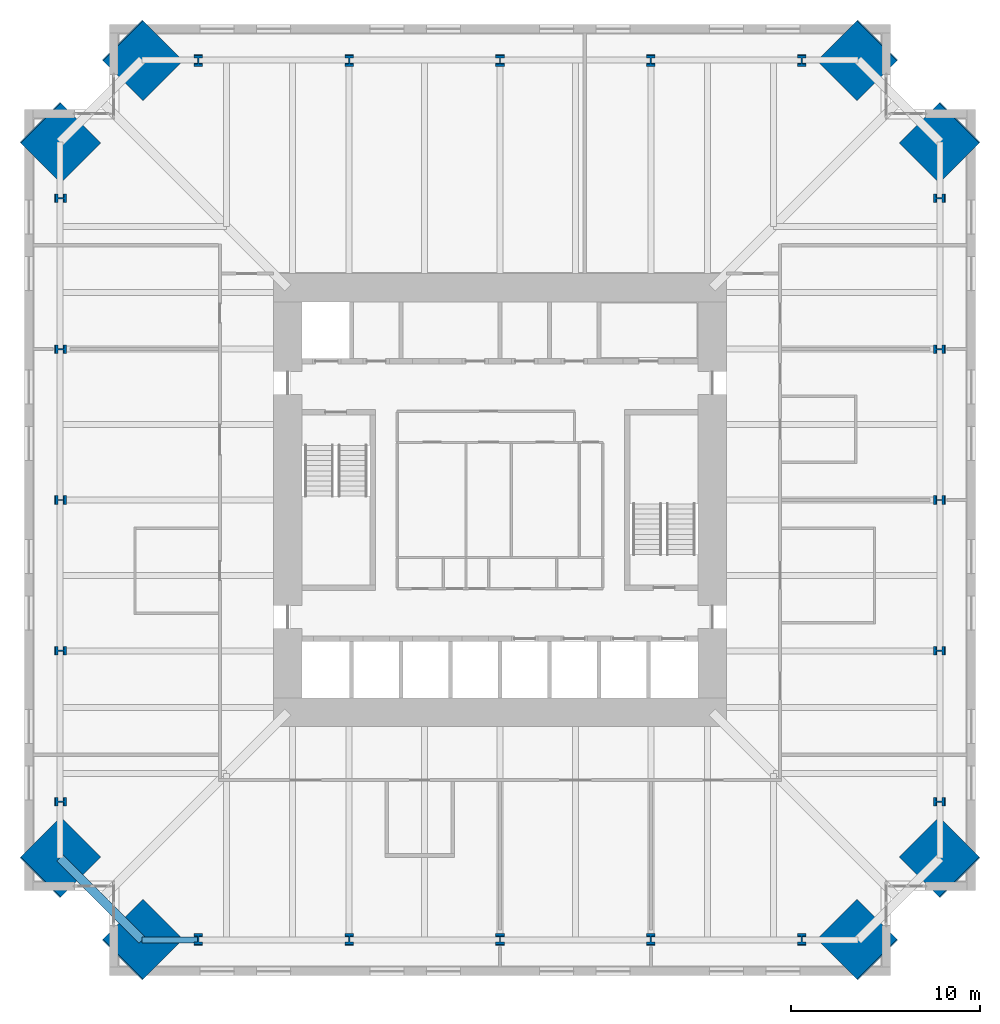
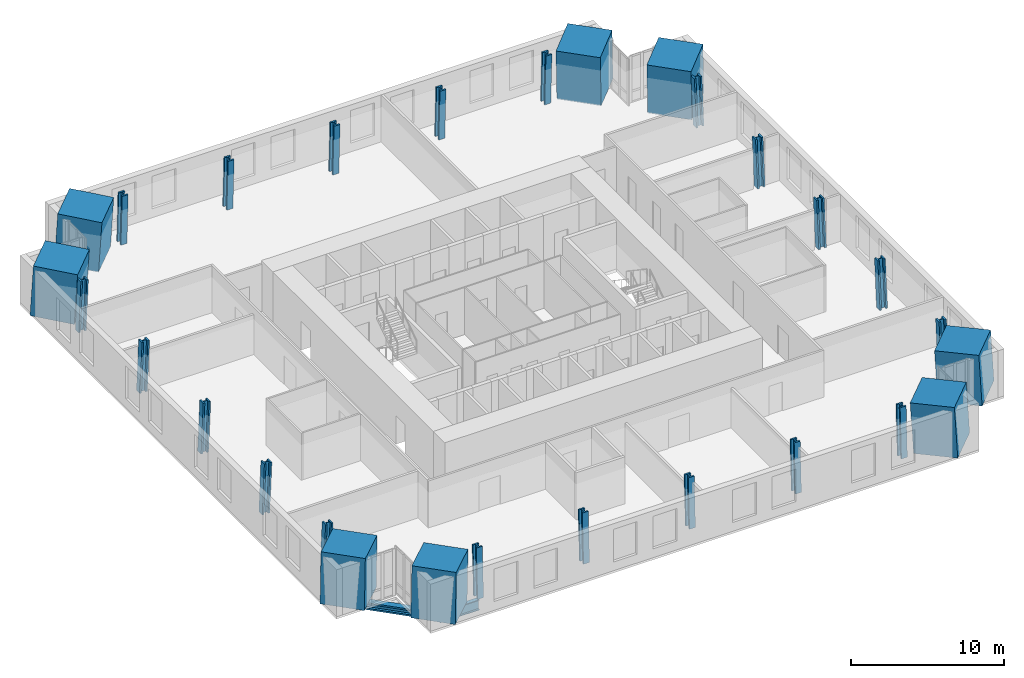
# One storey, part 1 of 15: 28 columns, 2 beams.
"""IFC4 building model written with IfcOpenShell, lengths in metres."""

from ifc_helpers import new_model, si_unit, direction, frame, origin, origin_2d, place, context, subcontext, project, spatial, rectangle, i_section, extrude, material, material_profile, profile_set, type_object, element, save


model = new_model("IFC4")

# Units and contexts
model_context = context("Model", 3, precision=1e-05, world=origin(), true_north=direction((0.0, 1.0)))
body_context = subcontext(model_context, "Body", "Model", "MODEL_VIEW")
ifc_project = project(units=[si_unit("LENGTHUNIT", "METRE"), si_unit("AREAUNIT", "SQUARE_METRE"), si_unit("VOLUMEUNIT", "CUBIC_METRE"), si_unit("PLANEANGLEUNIT", "RADIAN"), si_unit("MASSUNIT", "GRAM", prefix="KILO")], contexts=[model_context])

# Site, building, storey
site_placement = place(None, origin())
site = spatial("IfcSite", under=ifc_project, at=site_placement, CompositionType="ELEMENT")
building_placement = place(site_placement, origin())
building = spatial("IfcBuilding", under=site, at=building_placement, Name="Peilmerk Tower", CompositionType="ELEMENT")
storey_placement = place(building_placement, frame((0.0, 0.0, 187.800048828125)))
storey = spatial("IfcBuildingStorey", under=building, at=storey_placement, Name="L40", CompositionType="ELEMENT", Elevation=187.800048828125)

# Columns
ifc_material_1 = material(Name="Concrete C90/105", Category="concrete")
ifc_material_profile_1 = material_profile(ifc_material_1, rectangle(XDim=3.0, YDim=3.0, at=origin_2d()), Name="RC 3000x3000")
ifc_profile_set_1 = profile_set([ifc_material_profile_1], Name="Concrete C90/105")
column_type_1 = type_object("IfcColumnType", Name="MC2 3000x3000 encased mega column", PredefinedType="COLUMN", material=ifc_profile_set_1)
for number, where, z_axis, x_axis, name in (
    (1, (18.97412109375, 23.32421875, 0.0), (-0.040217894151, -0.040278830354, 0.998378754189), (0.707641859868, -0.706571297296, 0.0), "Mega column MC2 NE_N L40"),
    (2, (23.32421875, 18.97412109375, 0.0), (-0.040278830354, -0.040217894151, 0.998378754189), (0.706571297296, -0.707641859868, 0.0), "Mega column MC2 NE_E L40"),
    (3, (23.32421875, -18.97412109375, 0.0), (-0.040278830354, 0.040217894151, 0.998378754189), (-0.706571297296, -0.707641859868, 0.0), "Mega column MC2 SE_E L40"),
    (4, (18.97412109375, -23.32421875, 0.0), (-0.040217894151, 0.040278830354, 0.998378754189), (-0.707641859868, -0.706571297296, 0.0), "Mega column MC2 SE_S L40"),
    (5, (-18.97412109375, -23.32421875, 0.0), (0.040217894151, 0.040278830354, 0.998378754189), (-0.707641859868, 0.706571297296, 0.0), "Mega column MC2 SW_S L40"),
    (6, (-23.32421875, -18.97412109375, 0.0), (0.040278830354, 0.040217894151, 0.998378754189), (-0.706571297296, 0.707641859868, 0.0), "Mega column MC2 SW_W L40"),
    (7, (-23.32421875, 18.97412109375, 0.0), (0.040278830354, -0.040217894151, 0.998378754189), (0.706571297296, 0.707641859868, 0.0), "Mega column MC2 NW_W L40"),
    (8, (-18.97412109375, 23.32421875, 0.0), (0.040217894151, -0.040278830354, 0.998378754189), (0.707641859868, 0.706571297296, 0.0), "Mega column MC2 NW_N L40"),
):
    element("IfcColumn", number, at=place(storey_placement, frame(where, z_axis=z_axis, x_axis=x_axis)), inside=storey, type_object=column_type_1, Name=name, PredefinedType="COLUMN", context=body_context, shape_type="SweptSolid", body=[
        extrude(rectangle(XDim=3.0, YDim=3.0, at=origin_2d()), origin(), (0.0, 0.0, 1.0), 4.006591796875),
    ])
ifc_material_2 = material(Name="Steel S460", Category="steel")
ifc_material_profile_2 = material_profile(ifc_material_2, i_section(OverallWidth=0.4541015625, OverallDepth=0.569091796875, WebThickness=0.077880859375, FlangeThickness=0.125, at=origin_2d()), Name="HD 400x1086")
ifc_profile_set_2 = profile_set([ifc_material_profile_2], Name="Steel S460")
column_type_2 = type_object("IfcColumnType", Name="SC6 HD 400x1086 interior column", PredefinedType="COLUMN", material=ifc_profile_set_2)
for number, where, z_axis, x_axis, name in (
    (9, (0.0, 23.32421875, 0.0), (0.0, -0.040311445006, 0.999187163349), (1.0, 0.0, 0.0), "Perimeter column N+0 L40"),
    (10, (8.0, 23.32421875, 0.0), (0.0, -0.040311445006, 0.999187163349), (1.0, 0.0, 0.0), "Perimeter column N-8 L40"),
    (11, (-8.0, 23.32421875, 0.0), (0.0, -0.040311445006, 0.999187163349), (1.0, 0.0, 0.0), "Perimeter column N+8 L40"),
    (12, (16.0, 23.32421875, 0.0), (0.0, -0.040311445006, 0.999187163349), (1.0, 0.0, 0.0), "Perimeter column N-16 L40"),
    (13, (-16.0, 23.32421875, 0.0), (0.0, -0.040311445006, 0.999187163349), (1.0, 0.0, 0.0), "Perimeter column N+16 L40"),
    (14, (23.32421875, 0.0, 0.0), (-0.040311445006, 0.0, 0.999187163349), (0.0, -1.0, 0.0), "Perimeter column E+0 L40"),
    (15, (23.32421875, -8.0, 0.0), (-0.040311445006, 0.0, 0.999187163349), (0.0, -1.0, 0.0), "Perimeter column E-8 L40"),
    (16, (23.32421875, 8.0, 0.0), (-0.040311445006, 0.0, 0.999187163349), (0.0, -1.0, 0.0), "Perimeter column E+8 L40"),
    (17, (23.32421875, -16.0, 0.0), (-0.040311445006, 0.0, 0.999187163349), (0.0, -1.0, 0.0), "Perimeter column E-16 L40"),
    (18, (23.32421875, 16.0, 0.0), (-0.040311445006, 0.0, 0.999187163349), (0.0, -1.0, 0.0), "Perimeter column E+16 L40"),
    (19, (0.0, -23.32421875, 0.0), (0.0, 0.040311445006, 0.999187163349), (-1.0, 0.0, 0.0), "Perimeter column S+0 L40"),
    (20, (-8.0, -23.32421875, 0.0), (0.0, 0.040311445006, 0.999187163349), (-1.0, 0.0, 0.0), "Perimeter column S-8 L40"),
    (21, (8.0, -23.32421875, 0.0), (0.0, 0.040311445006, 0.999187163349), (-1.0, 0.0, 0.0), "Perimeter column S+8 L40"),
    (22, (-16.0, -23.32421875, 0.0), (0.0, 0.040311445006, 0.999187163349), (-1.0, 0.0, 0.0), "Perimeter column S-16 L40"),
    (23, (16.0, -23.32421875, 0.0), (0.0, 0.040311445006, 0.999187163349), (-1.0, 0.0, 0.0), "Perimeter column S+16 L40"),
    (24, (-23.32421875, 0.0, 0.0), (0.040311445006, 0.0, 0.999187163349), (0.0, 1.0, 0.0), "Perimeter column W+0 L40"),
    (25, (-23.32421875, 8.0, 0.0), (0.040311445006, 0.0, 0.999187163349), (0.0, 1.0, 0.0), "Perimeter column W-8 L40"),
    (26, (-23.32421875, -8.0, 0.0), (0.040311445006, 0.0, 0.999187163349), (0.0, 1.0, 0.0), "Perimeter column W+8 L40"),
    (27, (-23.32421875, 16.0, 0.0), (0.040311445006, 0.0, 0.999187163349), (0.0, 1.0, 0.0), "Perimeter column W-16 L40"),
    (28, (-23.32421875, -16.0, 0.0), (0.040311445006, 0.0, 0.999187163349), (0.0, 1.0, 0.0), "Perimeter column W+16 L40"),
):
    element("IfcColumn", number, at=place(storey_placement, frame(where, z_axis=z_axis, x_axis=x_axis)), inside=storey, type_object=column_type_2, Name=name, PredefinedType="COLUMN", context=body_context, shape_type="SweptSolid", body=[
        extrude(i_section(OverallWidth=0.4541015625, OverallDepth=0.569091796875, WebThickness=0.077880859375, FlangeThickness=0.125, at=origin_2d()), origin(), (0.0, 0.0, 1.0), 4.003173828125),
    ])

# Beams
ifc_material_profile_3 = material_profile(ifc_material_2, i_section(OverallWidth=0.4541015625, OverallDepth=0.569091796875, WebThickness=0.077880859375, FlangeThickness=0.125, at=origin_2d()), Name="HD 400x1086")
ifc_profile_set_3 = profile_set([ifc_material_profile_3], Name="Steel S460")
beam_type_1 = type_object("IfcBeamType", Name="B17 HD 400x1086 edge beam", PredefinedType="SPANDREL", material=ifc_profile_set_3)
beam_1_placement = place(storey_placement, frame((-18.97412109375, -23.32421875, -0.45458984375), z_axis=(-0.707106781187, 0.707106781187, 0.0), x_axis=(-0.707106781187, -0.707106781187, 0.0)))
element("IfcBeam", 29, at=beam_1_placement, inside=storey, type_object=beam_type_1, Name="Notch beam L40", PredefinedType="SPANDREL", context=body_context, shape_type="SweptSolid", body=[
    extrude(i_section(OverallWidth=0.4541015625, OverallDepth=0.569091796875, WebThickness=0.077880859375, FlangeThickness=0.125, at=origin_2d()), origin(), (0.0, 0.0, 1.0), 6.15185546875),
])
ifc_material_profile_4 = material_profile(ifc_material_2, i_section(OverallWidth=0.302978515625, OverallDepth=0.81396484375, WebThickness=0.02099609375, FlangeThickness=0.0400390625, at=origin_2d()), Name="HEM 800")
ifc_profile_set_4 = profile_set([ifc_material_profile_4], Name="Steel S460")
beam_type_2 = type_object("IfcBeamType", Name="B35 HEM 800 edge beam", PredefinedType="SPANDREL", material=ifc_profile_set_4)
beam_2_placement = place(storey_placement, frame((-18.97412109375, -23.32421875, -0.5771484375), z_axis=(1.0, 0.0, 0.0), x_axis=(0.0, 1.0, 0.0)))
element("IfcBeam", 30, at=beam_2_placement, inside=storey, type_object=beam_type_2, Name="Edge beam L40", PredefinedType="SPANDREL", context=body_context, shape_type="SweptSolid", body=[
    extrude(i_section(OverallWidth=0.302978515625, OverallDepth=0.81396484375, WebThickness=0.02099609375, FlangeThickness=0.0400390625, at=origin_2d()), origin(), (0.0, 0.0, 1.0), 2.97412109375),
])

save(model, "model.ifc")
